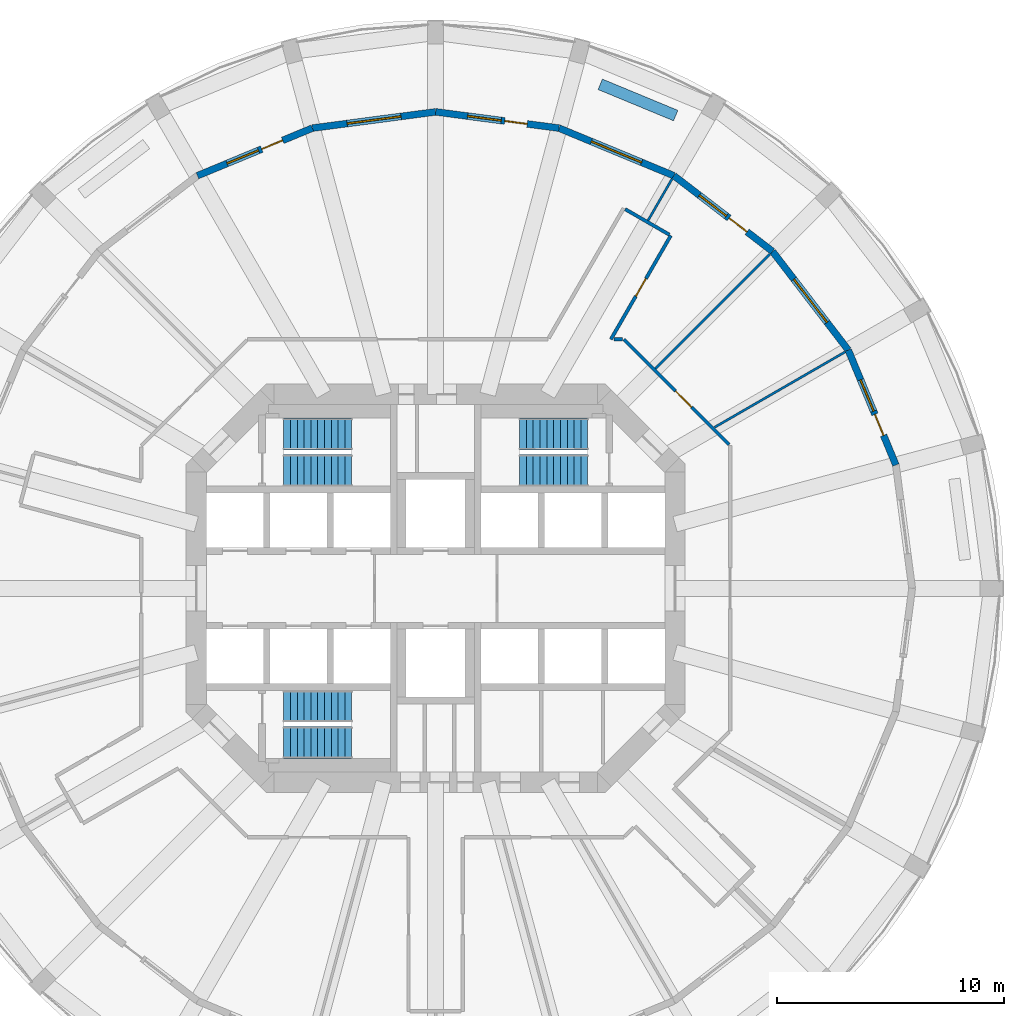
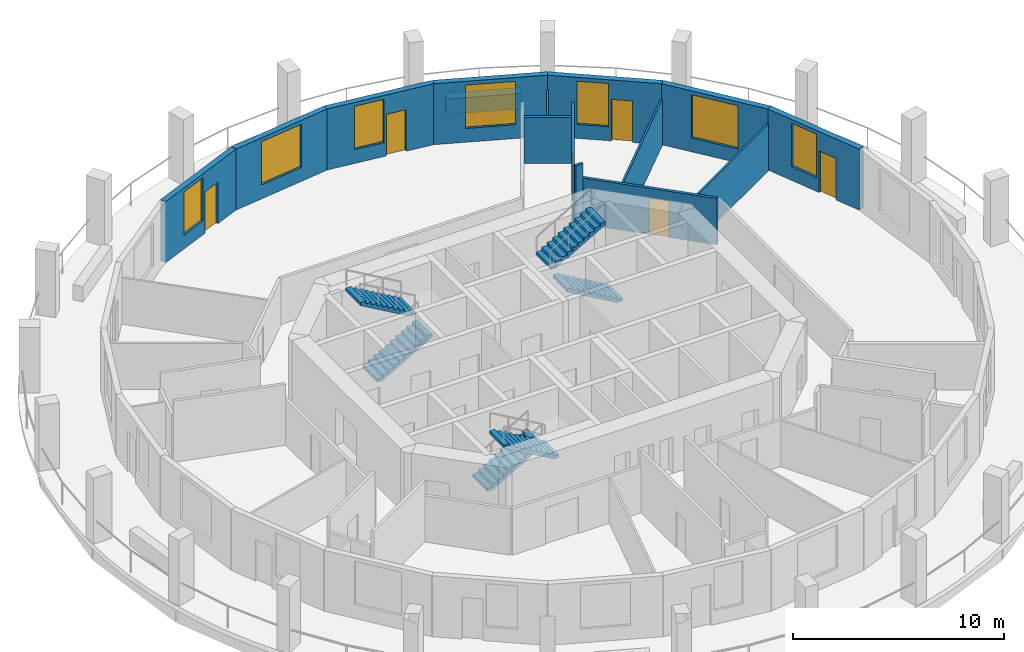
# One storey, part 6 of 8: 15 walls, 7 windows, 6 doors, 6 stair flights, 13 openings, 3 elements without a shape of their own.
"""IFC4 building model written with IfcOpenShell, lengths in metres."""

from ifc_helpers import new_model, si_unit, direction, frame, frame_2d, origin, place, context, subcontext, project, spatial, polyline, rectangle, outline, extrude, material, layer, layer_set, type_object, element, fill, aggregate, save


model = new_model("IFC4")

# Units and contexts
model_context = context("Model", 3, precision=1e-05, world=origin(), true_north=direction((0.0, 1.0)))
body_context = subcontext(model_context, "Body", "Model", "MODEL_VIEW")
ifc_project = project(units=[si_unit("LENGTHUNIT", "METRE"), si_unit("AREAUNIT", "SQUARE_METRE"), si_unit("VOLUMEUNIT", "CUBIC_METRE"), si_unit("PLANEANGLEUNIT", "RADIAN"), si_unit("MASSUNIT", "GRAM", prefix="KILO")], contexts=[model_context])

# Site, building, storey
site_placement = place(None, origin())
site = spatial("IfcSite", under=ifc_project, at=site_placement, CompositionType="ELEMENT")
building_placement = place(site_placement, origin())
building = spatial("IfcBuilding", under=site, at=building_placement, Name="Torre Triforio", CompositionType="ELEMENT")
storey_placement = place(building_placement, frame((0.0, 0.0, 123.800048828125)))
storey = spatial("IfcBuildingStorey", under=building, at=storey_placement, Name="L27", CompositionType="ELEMENT", Elevation=123.800048828125)

# Wall
ifc_material_1 = material(Name="Plasterboard on metal studs")
ifc_layer_1 = layer(ifc_material_1, 0.14990234375)
ifc_layer_set_1 = layer_set([ifc_layer_1], Name="Plasterboard on metal studs")
wall_type_1 = type_object("IfcWallType", Name="Corridor and tenancy wall 150 mm EI 60", PredefinedType="PARTITIONING", material=ifc_layer_set_1)
wall_1_placement = place(storey_placement, frame((8.35009765625, 16.712890625, 0.0), z_axis=(0.0, 0.0, 1.0), x_axis=(0.866017533419, -0.500013631625, 0.0)))
element("IfcWall", 1, at=wall_1_placement, inside=storey, type_object=wall_type_1, Name="Partition 11", PredefinedType="PARTITIONING", context=body_context, shape_type="SweptSolid", body=[
    extrude(rectangle(XDim=2.25, YDim=0.14990234375, at=frame_2d((1.125, 0.0))), origin(), (0.0, 0.0, 1.0), 2.669921875),
])

# Wall, opening, door
wall_2_placement = place(storey_placement, frame((10.363525390625, 15.55029296875, 0.0), z_axis=(0.0, 0.0, 1.0), x_axis=(-0.499981143329, -0.866036290415, 0.0)))
wall_2 = element("IfcWall", 2, at=wall_2_placement, inside=storey, type_object=wall_type_1, Name="Partition 12", PredefinedType="PARTITIONING", context=body_context, shape_type="SweptSolid", body=[
    extrude(rectangle(XDim=5.282958984375, YDim=0.14990234375, at=frame_2d((2.6416015625, 0.0))), origin(), (0.0, 0.0, 1.0), 3.52001953125),
])
opening_1_placement = place(wall_2_placement, frame((2.19140625, 0.0, 0.0)))
opening_1 = element("IfcOpeningElement", 3, at=opening_1_placement, cuts=wall_2, Name="Opening D1-14", PredefinedType="OPENING", context=body_context, shape_type="SweptSolid", body=[
    extrude(rectangle(XDim=0.89990234375, YDim=2.10009765625, at=frame_2d((0.449951171875, 1.050048828125))), frame((0.0, 0.0849609375, 0.0), z_axis=(0.0, -1.0, 0.0), x_axis=(1.0, 0.0, 0.0)), (0.0, 0.0, 1.0), 0.169921875),
])
ifc_material_2 = material(Name="Timber", Category="wood")
door_type_1 = type_object("IfcDoorType", Name="Door 900 x 2100 single leaf EI 30", OperationType="NOTDEFINED", PredefinedType="DOOR", material=ifc_material_2)
door_1_placement = place(opening_1_placement, origin())
door_1 = element("IfcDoor", 4, at=door_1_placement, inside=storey, type_object=door_type_1, Name="Door D1-14", OperationType="SINGLE_SWING_LEFT", OverallHeight=2.10009765625, OverallWidth=0.89990234375, PredefinedType="DOOR", context=body_context, shape_type="SweptSolid", body=[
    extrude(rectangle(XDim=0.89990234375, YDim=2.10009765625, at=frame_2d((0.449951171875, 1.050048828125))), frame((0.0, 0.02490234375, 0.0), z_axis=(0.0, -1.0, 0.0), x_axis=(1.0, 0.0, 0.0)), (0.0, 0.0, 1.0), 0.050048828125),
])
fill(opening_1, door_1)

# Wall
wall_3_placement = place(storey_placement, frame((7.85205078125, 10.97509765625, 0.0), z_axis=(0.0, 0.0, 1.0), x_axis=(1.0, 0.0, 0.0)))
element("IfcWall", 5, at=wall_3_placement, inside=storey, type_object=wall_type_1, Name="Partition 13", PredefinedType="PARTITIONING", context=body_context, shape_type="SweptSolid", body=[
    extrude(rectangle(XDim=0.38623046875, YDim=0.14990234375, at=frame_2d((0.193115234375, 0.0))), origin(), (0.0, 0.0, 1.0), 3.52001953125),
])

# Wall, opening, door
wall_4_placement = place(storey_placement, frame((8.291015625, 10.97509765625, 0.0), z_axis=(0.0, 0.0, 1.0), x_axis=(0.707088206597, -0.707125355289, 0.0)))
wall_4 = element("IfcWall", 6, at=wall_4_placement, inside=storey, type_object=wall_type_1, Name="Partition 14", PredefinedType="PARTITIONING", context=body_context, shape_type="SweptSolid", body=[
    extrude(rectangle(XDim=6.572021484375, YDim=0.14990234375, at=frame_2d((3.2861328125, 0.0))), origin(), (0.0, 0.0, 1.0), 2.669921875),
])
opening_2_placement = place(wall_4_placement, frame((3.22412109375, 0.0, 0.0)))
opening_2 = element("IfcOpeningElement", 7, at=opening_2_placement, cuts=wall_4, Name="Opening D1-13", PredefinedType="OPENING", context=body_context, shape_type="SweptSolid", body=[
    extrude(rectangle(XDim=1.0, YDim=2.10009765625, at=frame_2d((0.5, 1.050048828125))), frame((0.0, 0.0849609375, 0.0), z_axis=(0.0, -1.0, 0.0), x_axis=(1.0, 0.0, 0.0)), (0.0, 0.0, 1.0), 0.169921875),
])
door_type_2 = type_object("IfcDoorType", Name="Door 1000 x 2100 single leaf EI 30", OperationType="NOTDEFINED", PredefinedType="DOOR", material=ifc_material_2)
door_2_placement = place(opening_2_placement, origin())
door_2 = element("IfcDoor", 8, at=door_2_placement, inside=storey, type_object=door_type_2, Name="Door D1-13", OperationType="SINGLE_SWING_RIGHT", OverallHeight=2.10009765625, OverallWidth=1.0, PredefinedType="DOOR", context=body_context, shape_type="SweptSolid", body=[
    extrude(rectangle(XDim=1.0, YDim=2.10009765625, at=frame_2d((0.5, 1.050048828125))), frame((0.0, 0.02490234375, 0.0), z_axis=(0.0, -1.0, 0.0), x_axis=(1.0, 0.0, 0.0)), (0.0, 0.0, 1.0), 0.050048828125),
])
fill(opening_2, door_2)

# Walls
ifc_layer_2 = layer(ifc_material_1, 0.10009765625)
ifc_layer_set_2 = layer_set([ifc_layer_2], Name="Plasterboard on metal studs")
wall_type_2 = type_object("IfcWallType", Name="Partition 100 mm board on metal studs", PredefinedType="PARTITIONING", material=ifc_layer_set_2)
wall_5_placement = place(storey_placement, frame((12.294189453125, 7.097900390625, 0.0), z_axis=(0.0, 0.0, 1.0), x_axis=(0.866010486135, 0.500025837236, 0.0)))
element("IfcWall", 9, at=wall_5_placement, inside=storey, type_object=wall_type_2, Name="Partition 30", PredefinedType="PARTITIONING", context=body_context, shape_type="SweptSolid", body=[
    extrude(rectangle(XDim=6.640869140625, YDim=0.10009765625, at=frame_2d((3.3203125, 0.0))), origin(), (0.0, 0.0, 1.0), 2.669921875),
])
wall_6_placement = place(storey_placement, frame((9.68603515625, 9.68603515625, 0.0), z_axis=(0.0, 0.0, 1.0), x_axis=(0.707106781187, 0.707106781187, 0.0)))
element("IfcWall", 10, at=wall_6_placement, inside=storey, type_object=wall_type_2, Name="Partition 31", PredefinedType="PARTITIONING", context=body_context, shape_type="SweptSolid", body=[
    extrude(rectangle(XDim=7.138671875, YDim=0.10009765625, at=frame_2d((3.5693359375, 0.0))), origin(), (0.0, 0.0, 1.0), 2.669921875),
])
wall_7_placement = place(storey_placement, frame((9.36181640625, 16.215087890625, 0.0), z_axis=(0.0, 0.0, 1.0), x_axis=(0.500015802937, 0.866016279763, 0.0)))
element("IfcWall", 11, at=wall_7_placement, inside=storey, type_object=wall_type_2, Name="Partition 32", PredefinedType="PARTITIONING", context=body_context, shape_type="SweptSolid", body=[
    extrude(rectangle(XDim=2.11328125, YDim=0.10009765625, at=frame_2d((1.056640625, 0.0))), origin(), (0.0, 0.0, 1.0), 2.669921875),
])
ifc_material_3 = material(Name="Limestone cladding", Category="masonry")
ifc_layer_3 = layer(ifc_material_3, 0.10009765625)
ifc_material_4 = material(Name="Concrete C40", Category="concrete")
ifc_layer_4 = layer(ifc_material_4, 0.39990234375)
ifc_layer_set_3 = layer_set([ifc_layer_3, ifc_layer_4], Name="Limestone cladding / Concrete C40")
wall_type_3 = type_object("IfcWallType", Name="Planter wall 500", PredefinedType="PARAPET", material=ifc_layer_set_3)
wall_8_placement = place(storey_placement, frame((10.57958984375, 20.837646484375, 0.0), z_axis=(0.0, 0.0, 1.0), x_axis=(-0.923909393783, 0.382611332921, 0.0)))
element("IfcWall", 12, at=wall_8_placement, inside=storey, type_object=wall_type_3, Name="Planter L27 bay 05", PredefinedType="PARAPET", context=body_context, shape_type="SweptSolid", body=[
    extrude(rectangle(XDim=3.60009765625, YDim=0.5, at=frame_2d((1.800048828125, 0.0))), origin(), (0.0, 0.0, 1.0), 0.89990234375),
])

# Wall, openings, door, window
ifc_layer_5 = layer(ifc_material_3, 0.10009765625)
ifc_layer_6 = layer(ifc_material_4, 0.199951171875)
ifc_layer_set_4 = layer_set([ifc_layer_5, ifc_layer_6], Name="Limestone cladding / Concrete C40")
wall_type_4 = type_object("IfcWallType", Name="Stone-faced composite wall 300", PredefinedType="STANDARD", material=ifc_layer_set_4)
wall_9_placement = place(storey_placement, frame((20.284423828125, 5.435302734375, 0.0), z_axis=(0.0, 0.0, 1.0), x_axis=(-0.382688740813, 0.923877333662, 0.0)))
wall_9 = element("IfcWall", 13, at=wall_9_placement, inside=storey, type_object=wall_type_4, Name="External wall L27 bay 02", PredefinedType="STANDARD", context=body_context, shape_type="SweptSolid", body=[
    extrude(rectangle(XDim=5.48193359375, YDim=0.300048828125, at=frame_2d((2.740966796875, 0.0))), origin(), (0.0, 0.0, 1.0), 3.52001953125),
])
opening_3_placement = place(wall_9_placement, frame((1.416015625, 0.0, 0.0)))
opening_3 = element("IfcOpeningElement", 14, at=opening_3_placement, cuts=wall_9, Name="Opening D1-D02", PredefinedType="OPENING", context=body_context, shape_type="SweptSolid", body=[
    extrude(rectangle(XDim=1.0, YDim=2.39990234375, at=frame_2d((0.5, 1.199951171875))), frame((0.0, 0.159912109375, 0.0), z_axis=(0.0, -1.0, 0.0), x_axis=(1.0, 0.0, 0.0)), (0.0, 0.0, 1.0), 0.320068359375),
])
opening_4_placement = place(wall_9_placement, frame((2.566162109375, 0.0, 0.800048828125)))
opening_4 = element("IfcOpeningElement", 15, at=opening_4_placement, cuts=wall_9, Name="Opening D1-W02A", PredefinedType="OPENING", context=body_context, shape_type="SweptSolid", body=[
    extrude(rectangle(XDim=1.5, YDim=2.5, at=frame_2d((0.75, 1.25))), frame((0.0, 0.159912109375, 0.0), z_axis=(0.0, -1.0, 0.0), x_axis=(1.0, 0.0, 0.0)), (0.0, 0.0, 1.0), 0.320068359375),
])
ifc_material_5 = material(Name="Aluminium frame with clear double glazing", Category="aluminium")
door_type_3 = type_object("IfcDoorType", Name="Loggia door 1000 x 2400", OperationType="NOTDEFINED", PredefinedType="DOOR", material=ifc_material_5)
door_3_placement = place(opening_3_placement, origin())
door_3 = element("IfcDoor", 16, at=door_3_placement, inside=storey, type_object=door_type_3, Name="Loggia door L27 bay 02", OperationType="SINGLE_SWING_LEFT", OverallHeight=2.39990234375, OverallWidth=1.0, PredefinedType="DOOR", context=body_context, shape_type="SweptSolid", body=[
    extrude(rectangle(XDim=1.0, YDim=2.39990234375, at=frame_2d((0.5, 1.199951171875))), frame((0.0, 0.02490234375, 0.0), z_axis=(0.0, -1.0, 0.0), x_axis=(1.0, 0.0, 0.0)), (0.0, 0.0, 1.0), 0.050048828125),
])
fill(opening_3, door_3)
window_type_1 = type_object("IfcWindowType", Name="Side window 1500 x 2500", PartitioningType="SINGLE_PANEL", PredefinedType="WINDOW", material=ifc_material_5)
window_1_placement = place(opening_4_placement, origin())
window_1 = element("IfcWindow", 17, at=window_1_placement, inside=storey, type_object=window_type_1, Name="Side window EWN13 L27 bay 02", OverallHeight=2.5, OverallWidth=1.5, PartitioningType="SINGLE_PANEL", PredefinedType="WINDOW", context=body_context, shape_type="SweptSolid", body=[
    extrude(rectangle(XDim=1.5, YDim=2.5, at=frame_2d((0.75, 1.25))), frame((0.0, 0.030029296875, 0.0), z_axis=(0.0, -1.0, 0.0), x_axis=(1.0, 0.0, 0.0)), (0.0, 0.0, 1.0), 0.06005859375),
])
fill(opening_4, window_1)

# Wall, opening, window
wall_10_placement = place(storey_placement, frame((18.1865234375, 10.5, 0.0), z_axis=(0.0, 0.0, 1.0), x_axis=(-0.608784891166, 0.793335336593, 0.0)))
wall_10 = element("IfcWall", 18, at=wall_10_placement, inside=storey, type_object=wall_type_4, Name="External wall L27 bay 03", PredefinedType="STANDARD", context=body_context, shape_type="SweptSolid", body=[
    extrude(rectangle(XDim=5.482177734375, YDim=0.300048828125, at=frame_2d((2.7412109375, 0.0))), origin(), (0.0, 0.0, 1.0), 3.52001953125),
])
opening_5_placement = place(wall_10_placement, frame((1.541015625, 0.0, 0.800048828125)))
opening_5 = element("IfcOpeningElement", 19, at=opening_5_placement, cuts=wall_10, Name="Opening D1-W03", PredefinedType="OPENING", context=body_context, shape_type="SweptSolid", body=[
    extrude(rectangle(XDim=2.39990234375, YDim=2.5, at=frame_2d((1.199951171875, 1.25))), frame((0.0, 0.159912109375, 0.0), z_axis=(0.0, -1.0, 0.0), x_axis=(1.0, 0.0, 0.0)), (0.0, 0.0, 1.0), 0.320068359375),
])
window_type_2 = type_object("IfcWindowType", Name="Punched window 2400 x 2500", PartitioningType="DOUBLE_PANEL_VERTICAL", PredefinedType="WINDOW", material=ifc_material_5)
window_2_placement = place(opening_5_placement, origin())
window_2 = element("IfcWindow", 20, at=window_2_placement, inside=storey, type_object=window_type_2, Name="Window EWN3 L27 bay 03", OverallHeight=2.5, OverallWidth=2.39990234375, PartitioningType="SINGLE_PANEL", PredefinedType="WINDOW", context=body_context, shape_type="SweptSolid", body=[
    extrude(rectangle(XDim=2.39990234375, YDim=2.5, at=frame_2d((1.199951171875, 1.25))), frame((0.0, 0.030029296875, 0.0), z_axis=(0.0, -1.0, 0.0), x_axis=(1.0, 0.0, 0.0)), (0.0, 0.0, 1.0), 0.06005859375),
])
fill(opening_5, window_2)

# Wall, openings, door, window
wall_11_placement = place(storey_placement, frame((14.84912109375, 14.84912109375, 0.0), z_axis=(0.0, 0.0, 1.0), x_axis=(-0.793335336593, 0.608784891166, 0.0)))
wall_11 = element("IfcWall", 21, at=wall_11_placement, inside=storey, type_object=wall_type_4, Name="External wall L27 bay 04", PredefinedType="STANDARD", context=body_context, shape_type="SweptSolid", body=[
    extrude(rectangle(XDim=5.482177734375, YDim=0.300048828125, at=frame_2d((2.7412109375, 0.0))), origin(), (0.0, 0.0, 1.0), 3.52001953125),
])
opening_6_placement = place(wall_11_placement, frame((1.416015625, 0.0, 0.0)))
opening_6 = element("IfcOpeningElement", 22, at=opening_6_placement, cuts=wall_11, Name="Opening D1-D04", PredefinedType="OPENING", context=body_context, shape_type="SweptSolid", body=[
    extrude(rectangle(XDim=1.0, YDim=2.39990234375, at=frame_2d((0.5, 1.199951171875))), frame((0.0, 0.159912109375, 0.0), z_axis=(0.0, -1.0, 0.0), x_axis=(1.0, 0.0, 0.0)), (0.0, 0.0, 1.0), 0.320068359375),
])
opening_7_placement = place(wall_11_placement, frame((2.56591796875, 0.0, 0.800048828125)))
opening_7 = element("IfcOpeningElement", 23, at=opening_7_placement, cuts=wall_11, Name="Opening D1-W04A", PredefinedType="OPENING", context=body_context, shape_type="SweptSolid", body=[
    extrude(rectangle(XDim=1.5, YDim=2.5, at=frame_2d((0.75, 1.25))), frame((0.0, 0.159912109375, 0.0), z_axis=(0.0, -1.0, 0.0), x_axis=(1.0, 0.0, 0.0)), (0.0, 0.0, 1.0), 0.320068359375),
])
door_4_placement = place(opening_6_placement, origin())
door_4 = element("IfcDoor", 24, at=door_4_placement, inside=storey, type_object=door_type_3, Name="Loggia door L27 bay 04", OperationType="SINGLE_SWING_LEFT", OverallHeight=2.39990234375, OverallWidth=1.0, PredefinedType="DOOR", context=body_context, shape_type="SweptSolid", body=[
    extrude(rectangle(XDim=1.0, YDim=2.39990234375, at=frame_2d((0.5, 1.199951171875))), frame((0.0, 0.02490234375, 0.0), z_axis=(0.0, -1.0, 0.0), x_axis=(1.0, 0.0, 0.0)), (0.0, 0.0, 1.0), 0.050048828125),
])
fill(opening_6, door_4)
window_3_placement = place(opening_7_placement, origin())
window_3 = element("IfcWindow", 25, at=window_3_placement, inside=storey, type_object=window_type_1, Name="Side window EWN13 L27 bay 04", OverallHeight=2.5, OverallWidth=1.5, PartitioningType="SINGLE_PANEL", PredefinedType="WINDOW", context=body_context, shape_type="SweptSolid", body=[
    extrude(rectangle(XDim=1.5, YDim=2.5, at=frame_2d((0.75, 1.25))), frame((0.0, 0.030029296875, 0.0), z_axis=(0.0, -1.0, 0.0), x_axis=(1.0, 0.0, 0.0)), (0.0, 0.0, 1.0), 0.06005859375),
])
fill(opening_7, window_3)

# Wall, opening, window
wall_12_placement = place(storey_placement, frame((10.5, 18.1865234375, 0.0), z_axis=(0.0, 0.0, 1.0), x_axis=(-0.923877333662, 0.382688740813, 0.0)))
wall_12 = element("IfcWall", 26, at=wall_12_placement, inside=storey, type_object=wall_type_4, Name="External wall L27 bay 05", PredefinedType="STANDARD", context=body_context, shape_type="SweptSolid", body=[
    extrude(rectangle(XDim=5.48193359375, YDim=0.300048828125, at=frame_2d((2.740966796875, 0.0))), origin(), (0.0, 0.0, 1.0), 3.52001953125),
])
opening_8_placement = place(wall_12_placement, frame((1.541015625, 0.0, 0.800048828125)))
opening_8 = element("IfcOpeningElement", 27, at=opening_8_placement, cuts=wall_12, Name="Opening D1-W05", PredefinedType="OPENING", context=body_context, shape_type="SweptSolid", body=[
    extrude(rectangle(XDim=2.39990234375, YDim=2.5, at=frame_2d((1.199951171875, 1.25))), frame((0.0, 0.159912109375, 0.0), z_axis=(0.0, -1.0, 0.0), x_axis=(1.0, 0.0, 0.0)), (0.0, 0.0, 1.0), 0.320068359375),
])
window_4_placement = place(opening_8_placement, origin())
window_4 = element("IfcWindow", 28, at=window_4_placement, inside=storey, type_object=window_type_2, Name="Window EWN3 L27 bay 05", OverallHeight=2.5, OverallWidth=2.39990234375, PartitioningType="SINGLE_PANEL", PredefinedType="WINDOW", context=body_context, shape_type="SweptSolid", body=[
    extrude(rectangle(XDim=2.39990234375, YDim=2.5, at=frame_2d((1.199951171875, 1.25))), frame((0.0, 0.030029296875, 0.0), z_axis=(0.0, -1.0, 0.0), x_axis=(1.0, 0.0, 0.0)), (0.0, 0.0, 1.0), 0.06005859375),
])
fill(opening_8, window_4)

# Wall, openings, door, window
wall_13_placement = place(storey_placement, frame((5.435302734375, 20.284423828125, 0.0), z_axis=(0.0, 0.0, 1.0), x_axis=(-0.991444743541, 0.130527087244, 0.0)))
wall_13 = element("IfcWall", 29, at=wall_13_placement, inside=storey, type_object=wall_type_4, Name="External wall L27 bay 06", PredefinedType="STANDARD", context=body_context, shape_type="SweptSolid", body=[
    extrude(rectangle(XDim=5.482177734375, YDim=0.300048828125, at=frame_2d((2.7412109375, 0.0))), origin(), (0.0, 0.0, 1.0), 3.52001953125),
])
opening_9_placement = place(wall_13_placement, frame((1.416015625, 0.0, 0.0)))
opening_9 = element("IfcOpeningElement", 30, at=opening_9_placement, cuts=wall_13, Name="Opening D1-D06", PredefinedType="OPENING", context=body_context, shape_type="SweptSolid", body=[
    extrude(rectangle(XDim=1.0, YDim=2.39990234375, at=frame_2d((0.5, 1.199951171875))), frame((0.0, 0.159912109375, 0.0), z_axis=(0.0, -1.0, 0.0), x_axis=(1.0, 0.0, 0.0)), (0.0, 0.0, 1.0), 0.320068359375),
])
opening_10_placement = place(wall_13_placement, frame((2.566162109375, 0.0, 0.800048828125)))
opening_10 = element("IfcOpeningElement", 31, at=opening_10_placement, cuts=wall_13, Name="Opening D1-W06A", PredefinedType="OPENING", context=body_context, shape_type="SweptSolid", body=[
    extrude(rectangle(XDim=1.5, YDim=2.5, at=frame_2d((0.75, 1.25))), frame((0.0, 0.159912109375, 0.0), z_axis=(0.0, -1.0, 0.0), x_axis=(1.0, 0.0, 0.0)), (0.0, 0.0, 1.0), 0.320068359375),
])
door_5_placement = place(opening_9_placement, origin())
door_5 = element("IfcDoor", 32, at=door_5_placement, inside=storey, type_object=door_type_3, Name="Loggia door L27 bay 06", OperationType="SINGLE_SWING_LEFT", OverallHeight=2.39990234375, OverallWidth=1.0, PredefinedType="DOOR", context=body_context, shape_type="SweptSolid", body=[
    extrude(rectangle(XDim=1.0, YDim=2.39990234375, at=frame_2d((0.5, 1.199951171875))), frame((0.0, 0.02490234375, 0.0), z_axis=(0.0, -1.0, 0.0), x_axis=(1.0, 0.0, 0.0)), (0.0, 0.0, 1.0), 0.050048828125),
])
fill(opening_9, door_5)
window_5_placement = place(opening_10_placement, origin())
window_5 = element("IfcWindow", 33, at=window_5_placement, inside=storey, type_object=window_type_1, Name="Side window EWN13 L27 bay 06", OverallHeight=2.5, OverallWidth=1.5, PartitioningType="SINGLE_PANEL", PredefinedType="WINDOW", context=body_context, shape_type="SweptSolid", body=[
    extrude(rectangle(XDim=1.5, YDim=2.5, at=frame_2d((0.75, 1.25))), frame((0.0, 0.030029296875, 0.0), z_axis=(0.0, -1.0, 0.0), x_axis=(1.0, 0.0, 0.0)), (0.0, 0.0, 1.0), 0.06005859375),
])
fill(opening_10, window_5)

# Wall, opening, window
wall_14_placement = place(storey_placement, frame((0.0, 21.0, 0.0), z_axis=(0.0, 0.0, 1.0), x_axis=(-0.991444743541, -0.130527087244, 0.0)))
wall_14 = element("IfcWall", 34, at=wall_14_placement, inside=storey, type_object=wall_type_4, Name="External wall L27 bay 07", PredefinedType="STANDARD", context=body_context, shape_type="SweptSolid", body=[
    extrude(rectangle(XDim=5.482177734375, YDim=0.300048828125, at=frame_2d((2.7412109375, 0.0))), origin(), (0.0, 0.0, 1.0), 3.52001953125),
])
opening_11_placement = place(wall_14_placement, frame((1.541015625, 0.0, 0.800048828125)))
opening_11 = element("IfcOpeningElement", 35, at=opening_11_placement, cuts=wall_14, Name="Opening D1-W07", PredefinedType="OPENING", context=body_context, shape_type="SweptSolid", body=[
    extrude(rectangle(XDim=2.39990234375, YDim=2.5, at=frame_2d((1.199951171875, 1.25))), frame((0.0, 0.159912109375, 0.0), z_axis=(0.0, -1.0, 0.0), x_axis=(1.0, 0.0, 0.0)), (0.0, 0.0, 1.0), 0.320068359375),
])
window_6_placement = place(opening_11_placement, origin())
window_6 = element("IfcWindow", 36, at=window_6_placement, inside=storey, type_object=window_type_2, Name="Window EWN3 L27 bay 07", OverallHeight=2.5, OverallWidth=2.39990234375, PartitioningType="SINGLE_PANEL", PredefinedType="WINDOW", context=body_context, shape_type="SweptSolid", body=[
    extrude(rectangle(XDim=2.39990234375, YDim=2.5, at=frame_2d((1.199951171875, 1.25))), frame((0.0, 0.030029296875, 0.0), z_axis=(0.0, -1.0, 0.0), x_axis=(1.0, 0.0, 0.0)), (0.0, 0.0, 1.0), 0.06005859375),
])
fill(opening_11, window_6)

# Wall, openings, door, window
wall_15_placement = place(storey_placement, frame((-5.435302734375, 20.284423828125, 0.0), z_axis=(0.0, 0.0, 1.0), x_axis=(-0.923877333662, -0.382688740813, 0.0)))
wall_15 = element("IfcWall", 37, at=wall_15_placement, inside=storey, type_object=wall_type_4, Name="External wall L27 bay 08", PredefinedType="STANDARD", context=body_context, shape_type="SweptSolid", body=[
    extrude(rectangle(XDim=5.48193359375, YDim=0.300048828125, at=frame_2d((2.740966796875, 0.0))), origin(), (0.0, 0.0, 1.0), 3.52001953125),
])
opening_12_placement = place(wall_15_placement, frame((1.416015625, 0.0, 0.0)))
opening_12 = element("IfcOpeningElement", 38, at=opening_12_placement, cuts=wall_15, Name="Opening D1-D08", PredefinedType="OPENING", context=body_context, shape_type="SweptSolid", body=[
    extrude(rectangle(XDim=1.0, YDim=2.39990234375, at=frame_2d((0.5, 1.199951171875))), frame((0.0, 0.159912109375, 0.0), z_axis=(0.0, -1.0, 0.0), x_axis=(1.0, 0.0, 0.0)), (0.0, 0.0, 1.0), 0.320068359375),
])
opening_13_placement = place(wall_15_placement, frame((2.566162109375, 0.0, 0.800048828125)))
opening_13 = element("IfcOpeningElement", 39, at=opening_13_placement, cuts=wall_15, Name="Opening D1-W08A", PredefinedType="OPENING", context=body_context, shape_type="SweptSolid", body=[
    extrude(rectangle(XDim=1.5, YDim=2.5, at=frame_2d((0.75, 1.25))), frame((0.0, 0.159912109375, 0.0), z_axis=(0.0, -1.0, 0.0), x_axis=(1.0, 0.0, 0.0)), (0.0, 0.0, 1.0), 0.320068359375),
])
door_6_placement = place(opening_12_placement, origin())
door_6 = element("IfcDoor", 40, at=door_6_placement, inside=storey, type_object=door_type_3, Name="Loggia door L27 bay 08", OperationType="SINGLE_SWING_LEFT", OverallHeight=2.39990234375, OverallWidth=1.0, PredefinedType="DOOR", context=body_context, shape_type="SweptSolid", body=[
    extrude(rectangle(XDim=1.0, YDim=2.39990234375, at=frame_2d((0.5, 1.199951171875))), frame((0.0, 0.02490234375, 0.0), z_axis=(0.0, -1.0, 0.0), x_axis=(1.0, 0.0, 0.0)), (0.0, 0.0, 1.0), 0.050048828125),
])
fill(opening_12, door_6)
window_7_placement = place(opening_13_placement, origin())
window_7 = element("IfcWindow", 41, at=window_7_placement, inside=storey, type_object=window_type_1, Name="Side window EWN13 L27 bay 08", OverallHeight=2.5, OverallWidth=1.5, PartitioningType="SINGLE_PANEL", PredefinedType="WINDOW", context=body_context, shape_type="SweptSolid", body=[
    extrude(rectangle(XDim=1.5, YDim=2.5, at=frame_2d((0.75, 1.25))), frame((0.0, 0.030029296875, 0.0), z_axis=(0.0, -1.0, 0.0), x_axis=(1.0, 0.0, 0.0)), (0.0, 0.0, 1.0), 0.06005859375),
])
fill(opening_13, window_7)

# Stair, stair flights
stair_type = type_object("IfcStairType", Name="STAIR HALF-TURN", PredefinedType="HALF_TURN_STAIR", material=ifc_material_4)
stair_1_placement = place(storey_placement, origin())
stair_1 = element("IfcStair", 42, at=stair_1_placement, inside=storey, type_object=stair_type, Name="Exit stair 1", PredefinedType="HALF_TURN_STAIR")
stair_flight_type = type_object("IfcStairFlightType", Name="STAIR FLIGHT 1400", PredefinedType="STRAIGHT", material=ifc_material_4)
stair_flight_1_placement = place(storey_placement, frame((-6.699951171875, 5.199951171875, 0.0), z_axis=(0.0, 0.0, 1.0), x_axis=(1.0, 0.0, 0.0)))
stair_flight_1 = element("IfcStairFlight", 43, at=stair_flight_1_placement, type_object=stair_flight_type, Name="ST1 flight 1", NumberOfRisers=11, NumberOfTreads=10, PredefinedType="STRAIGHT", RiserHeight=0.172727273, TreadLength=0.3, context=body_context, shape_type="SweptSolid", body=[
    extrude(outline(polyline([(0.0, 0.0), (0.0, 0.172607421875), (0.300048828125, 0.172607421875), (0.300048828125, 0.345458984375), (0.60009765625, 0.345458984375), (0.60009765625, 0.51806640625), (0.89990234375, 0.51806640625), (0.89990234375, 0.69091796875), (1.199951171875, 0.69091796875), (1.199951171875, 0.863525390625), (1.5, 0.863525390625), (1.5, 1.036376953125), (1.800048828125, 1.036376953125), (1.800048828125, 1.208984375), (2.10009765625, 1.208984375), (2.10009765625, 1.3818359375), (2.39990234375, 1.3818359375), (2.39990234375, 1.554443359375), (2.699951171875, 1.554443359375), (2.699951171875, 1.727294921875), (3.0, 1.727294921875), (3.0, 1.89990234375), (3.0, 1.55419921875), (0.300537109375, 0.0), (0.0, 0.0)])), frame((0.0, 0.699951171875, 0.0), z_axis=(0.0, -1.0, 0.0), x_axis=(1.0, 0.0, 0.0)), (0.0, 0.0, 1.0), 1.39990234375),
])
stair_flight_2_placement = place(storey_placement, frame((-3.699951171875, 6.800048828125, 1.89990234375), z_axis=(0.0, 0.0, 1.0), x_axis=(-1.0, 0.0, 0.0)))
stair_flight_2 = element("IfcStairFlight", 44, at=stair_flight_2_placement, type_object=stair_flight_type, Name="ST1 flight 2", NumberOfRisers=11, NumberOfTreads=10, PredefinedType="STRAIGHT", RiserHeight=0.172727273, TreadLength=0.3, context=body_context, shape_type="SweptSolid", body=[
    extrude(outline(polyline([(0.0, 0.0), (0.0, 0.172607421875), (0.300048828125, 0.172607421875), (0.300048828125, 0.345458984375), (0.60009765625, 0.345458984375), (0.60009765625, 0.51806640625), (0.89990234375, 0.51806640625), (0.89990234375, 0.69091796875), (1.199951171875, 0.69091796875), (1.199951171875, 0.863525390625), (1.5, 0.863525390625), (1.5, 1.036376953125), (1.800048828125, 1.036376953125), (1.800048828125, 1.208984375), (2.10009765625, 1.208984375), (2.10009765625, 1.3818359375), (2.39990234375, 1.3818359375), (2.39990234375, 1.554443359375), (2.699951171875, 1.554443359375), (2.699951171875, 1.727294921875), (3.0, 1.727294921875), (3.0, 1.89990234375), (3.0, 1.55419921875), (0.300537109375, 0.0), (0.0, 0.0)])), frame((0.0, 0.699951171875, 0.0), z_axis=(0.0, -1.0, 0.0), x_axis=(1.0, 0.0, 0.0)), (0.0, 0.0, 1.0), 1.39990234375),
])
aggregate(stair_1, [stair_flight_1, stair_flight_2])

stair_2_placement = place(storey_placement, origin())
stair_2 = element("IfcStair", 45, at=stair_2_placement, inside=storey, type_object=stair_type, Name="Exit stair 2", PredefinedType="HALF_TURN_STAIR")
stair_flight_3_placement = place(storey_placement, frame((6.699951171875, 5.199951171875, 0.0), z_axis=(0.0, 0.0, 1.0), x_axis=(-1.0, 0.0, 0.0)))
stair_flight_3 = element("IfcStairFlight", 46, at=stair_flight_3_placement, type_object=stair_flight_type, Name="ST2 flight 1", NumberOfRisers=11, NumberOfTreads=10, PredefinedType="STRAIGHT", RiserHeight=0.172727273, TreadLength=0.3, context=body_context, shape_type="SweptSolid", body=[
    extrude(outline(polyline([(0.0, 0.0), (0.0, 0.172607421875), (0.300048828125, 0.172607421875), (0.300048828125, 0.345458984375), (0.60009765625, 0.345458984375), (0.60009765625, 0.51806640625), (0.89990234375, 0.51806640625), (0.89990234375, 0.69091796875), (1.199951171875, 0.69091796875), (1.199951171875, 0.863525390625), (1.5, 0.863525390625), (1.5, 1.036376953125), (1.800048828125, 1.036376953125), (1.800048828125, 1.208984375), (2.10009765625, 1.208984375), (2.10009765625, 1.3818359375), (2.39990234375, 1.3818359375), (2.39990234375, 1.554443359375), (2.699951171875, 1.554443359375), (2.699951171875, 1.727294921875), (3.0, 1.727294921875), (3.0, 1.89990234375), (3.0, 1.55419921875), (0.300537109375, 0.0), (0.0, 0.0)])), frame((0.0, 0.699951171875, 0.0), z_axis=(0.0, -1.0, 0.0), x_axis=(1.0, 0.0, 0.0)), (0.0, 0.0, 1.0), 1.39990234375),
])
stair_flight_4_placement = place(storey_placement, frame((3.699951171875, 6.800048828125, 1.89990234375), z_axis=(0.0, 0.0, 1.0), x_axis=(1.0, 0.0, 0.0)))
stair_flight_4 = element("IfcStairFlight", 47, at=stair_flight_4_placement, type_object=stair_flight_type, Name="ST2 flight 2", NumberOfRisers=11, NumberOfTreads=10, PredefinedType="STRAIGHT", RiserHeight=0.172727273, TreadLength=0.3, context=body_context, shape_type="SweptSolid", body=[
    extrude(outline(polyline([(0.0, 0.0), (0.0, 0.172607421875), (0.300048828125, 0.172607421875), (0.300048828125, 0.345458984375), (0.60009765625, 0.345458984375), (0.60009765625, 0.51806640625), (0.89990234375, 0.51806640625), (0.89990234375, 0.69091796875), (1.199951171875, 0.69091796875), (1.199951171875, 0.863525390625), (1.5, 0.863525390625), (1.5, 1.036376953125), (1.800048828125, 1.036376953125), (1.800048828125, 1.208984375), (2.10009765625, 1.208984375), (2.10009765625, 1.3818359375), (2.39990234375, 1.3818359375), (2.39990234375, 1.554443359375), (2.699951171875, 1.554443359375), (2.699951171875, 1.727294921875), (3.0, 1.727294921875), (3.0, 1.89990234375), (3.0, 1.55419921875), (0.300537109375, 0.0), (0.0, 0.0)])), frame((0.0, 0.699951171875, 0.0), z_axis=(0.0, -1.0, 0.0), x_axis=(1.0, 0.0, 0.0)), (0.0, 0.0, 1.0), 1.39990234375),
])
aggregate(stair_2, [stair_flight_3, stair_flight_4])

stair_3_placement = place(storey_placement, origin())
stair_3 = element("IfcStair", 48, at=stair_3_placement, inside=storey, type_object=stair_type, Name="Exit stair 3", PredefinedType="HALF_TURN_STAIR")
stair_flight_5_placement = place(storey_placement, frame((-6.699951171875, -5.199951171875, 0.0), z_axis=(0.0, 0.0, 1.0), x_axis=(1.0, 0.0, 0.0)))
stair_flight_5 = element("IfcStairFlight", 49, at=stair_flight_5_placement, type_object=stair_flight_type, Name="ST3 flight 1", NumberOfRisers=11, NumberOfTreads=10, PredefinedType="STRAIGHT", RiserHeight=0.172727273, TreadLength=0.3, context=body_context, shape_type="SweptSolid", body=[
    extrude(outline(polyline([(0.0, 0.0), (0.0, 0.172607421875), (0.300048828125, 0.172607421875), (0.300048828125, 0.345458984375), (0.60009765625, 0.345458984375), (0.60009765625, 0.51806640625), (0.89990234375, 0.51806640625), (0.89990234375, 0.69091796875), (1.199951171875, 0.69091796875), (1.199951171875, 0.863525390625), (1.5, 0.863525390625), (1.5, 1.036376953125), (1.800048828125, 1.036376953125), (1.800048828125, 1.208984375), (2.10009765625, 1.208984375), (2.10009765625, 1.3818359375), (2.39990234375, 1.3818359375), (2.39990234375, 1.554443359375), (2.699951171875, 1.554443359375), (2.699951171875, 1.727294921875), (3.0, 1.727294921875), (3.0, 1.89990234375), (3.0, 1.55419921875), (0.300537109375, 0.0), (0.0, 0.0)])), frame((0.0, 0.699951171875, 0.0), z_axis=(0.0, -1.0, 0.0), x_axis=(1.0, 0.0, 0.0)), (0.0, 0.0, 1.0), 1.39990234375),
])
stair_flight_6_placement = place(storey_placement, frame((-3.699951171875, -6.800048828125, 1.89990234375), z_axis=(0.0, 0.0, 1.0), x_axis=(-1.0, 0.0, 0.0)))
stair_flight_6 = element("IfcStairFlight", 50, at=stair_flight_6_placement, type_object=stair_flight_type, Name="ST3 flight 2", NumberOfRisers=11, NumberOfTreads=10, PredefinedType="STRAIGHT", RiserHeight=0.172727273, TreadLength=0.3, context=body_context, shape_type="SweptSolid", body=[
    extrude(outline(polyline([(0.0, 0.0), (0.0, 0.172607421875), (0.300048828125, 0.172607421875), (0.300048828125, 0.345458984375), (0.60009765625, 0.345458984375), (0.60009765625, 0.51806640625), (0.89990234375, 0.51806640625), (0.89990234375, 0.69091796875), (1.199951171875, 0.69091796875), (1.199951171875, 0.863525390625), (1.5, 0.863525390625), (1.5, 1.036376953125), (1.800048828125, 1.036376953125), (1.800048828125, 1.208984375), (2.10009765625, 1.208984375), (2.10009765625, 1.3818359375), (2.39990234375, 1.3818359375), (2.39990234375, 1.554443359375), (2.699951171875, 1.554443359375), (2.699951171875, 1.727294921875), (3.0, 1.727294921875), (3.0, 1.89990234375), (3.0, 1.55419921875), (0.300537109375, 0.0), (0.0, 0.0)])), frame((0.0, 0.699951171875, 0.0), z_axis=(0.0, -1.0, 0.0), x_axis=(1.0, 0.0, 0.0)), (0.0, 0.0, 1.0), 1.39990234375),
])
aggregate(stair_3, [stair_flight_5, stair_flight_6])

save(model, "model.ifc")
